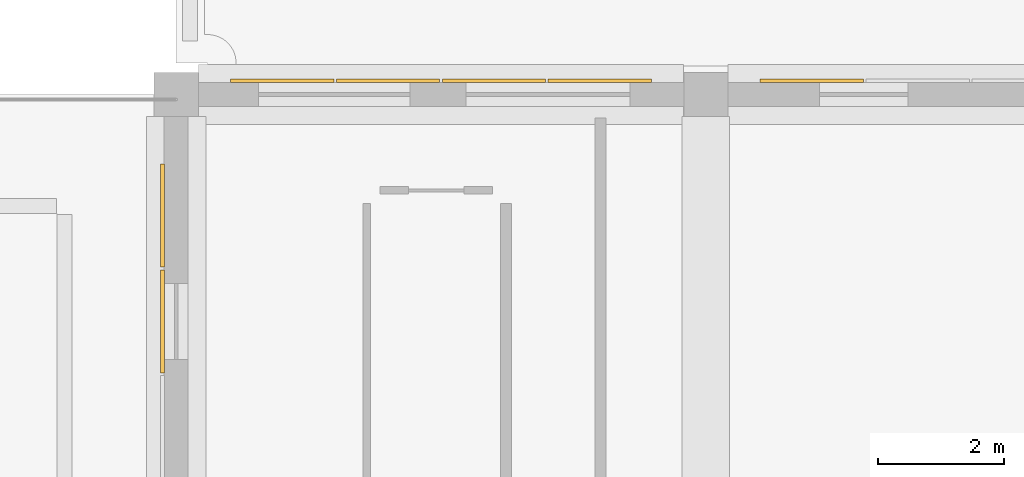
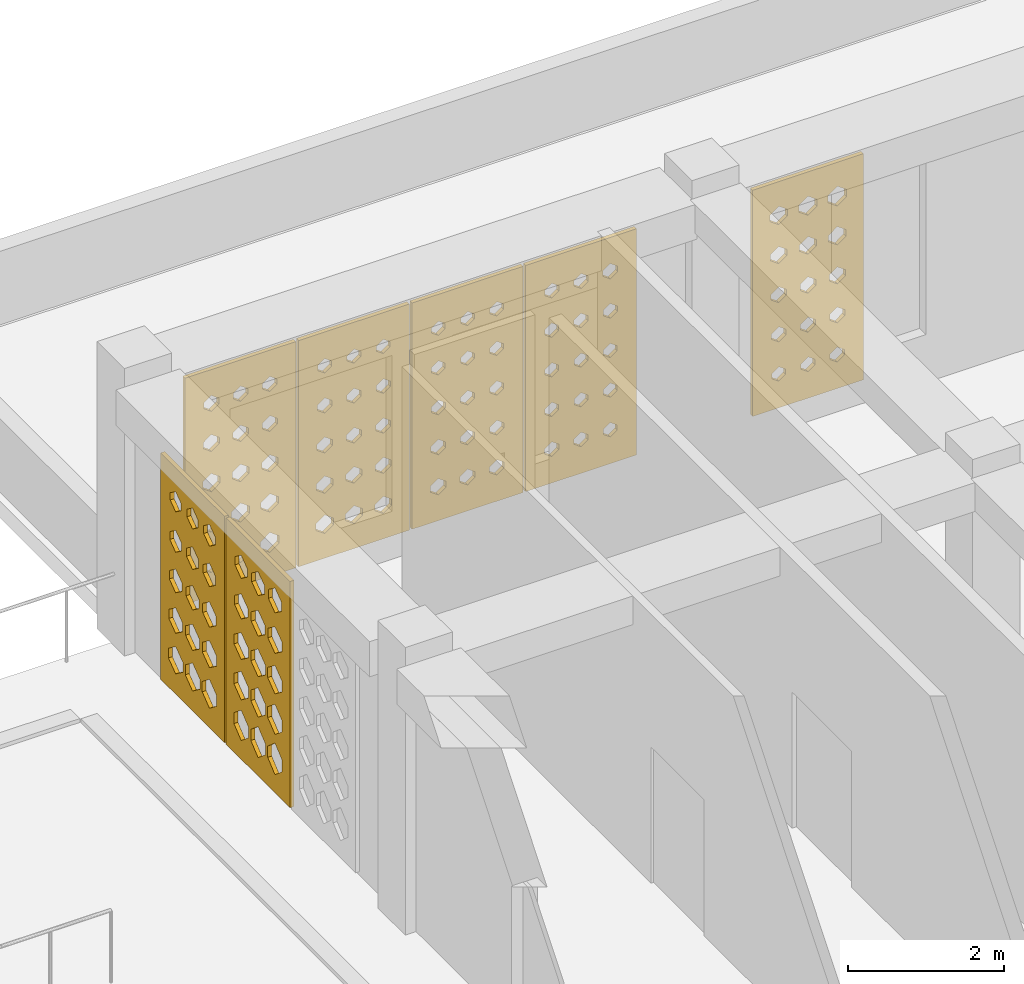
# One storey, part 41 of 47: 7 coverings.
"""IFC4 building model written with IfcOpenShell, lengths in metres."""

from ifc_helpers import new_model, si_unit, derived_unit, direction, frame, origin, place, context, subcontext, project, spatial, polyline, outline, extrude, material, layer, layer_set, type_object, element, save


model = new_model("IFC4")

# Units and contexts
model_context = context("Model", 3, precision=1e-05, world=origin(), true_north=direction((0.0, 1.0)))
body_context = subcontext(model_context, "Body", "Model", "MODEL_VIEW")
ifc_project = project(units=[si_unit("LENGTHUNIT", "METRE"), si_unit("AREAUNIT", "SQUARE_METRE"), si_unit("VOLUMEUNIT", "CUBIC_METRE"), si_unit("PLANEANGLEUNIT", "RADIAN"), si_unit("MASSUNIT", "GRAM", prefix="KILO"), derived_unit("THERMALTRANSMITTANCEUNIT", [(si_unit("POWERUNIT", "WATT"), 1), (si_unit("LENGTHUNIT", "METRE"), -2), (si_unit("THERMODYNAMICTEMPERATUREUNIT", "KELVIN"), -1)])], contexts=[model_context])

# Site, building, storey
site_placement = place(None, origin())
site = spatial("IfcSite", under=ifc_project, at=site_placement, CompositionType="ELEMENT")
building_placement = place(site_placement, origin())
building = spatial("IfcBuilding", under=site, at=building_placement, Name="Veybourne Emporium", CompositionType="ELEMENT")
storey_placement = place(building_placement, frame((0.0, 0.0, 23.39990234375)))
storey = spatial("IfcBuildingStorey", under=building, at=storey_placement, Name="L05", CompositionType="ELEMENT", Elevation=23.39990234375)

# Coverings
ifc_material = material(Name="Warm-White Perforated Aluminium Screen Alloy", Category="aluminium")
ifc_layer_1 = layer(ifc_material, 0.06005859375)
ifc_layer_set_1 = layer_set([ifc_layer_1], Name="Warm-White Perforated Aluminium Screen Alloy")
covering_type_1 = type_object("IfcCoveringType", Name="WaveScreen_SCR-01", PredefinedType="CLADDING", material=ifc_layer_set_1)
covering_1_placement = place(storey_placement, frame((38.639892578125, 86.64794921875, 1.830078125), z_axis=(0.0, -1.0, 0.0), x_axis=(1.0, 0.0, 0.0)))
element("IfcCovering", 1, at=covering_1_placement, inside=storey, type_object=covering_type_1, Name="L05 wave-perforated aluminium screen SCR-01 (24.3)", PredefinedType="CLADDING", context=body_context, shape_type="SweptSolid", body=[
    extrude(outline(polyline([(-0.81982421875, -1.77001953125), (0.81982421875, -1.77001953125), (0.81982421875, 1.77001953125), (-0.81982421875, 1.77001953125), (-0.81982421875, -1.77001953125)]), holes=[polyline([(-0.433349609375, -1.11279296875), (-0.319091796875, -1.194091796875), (-0.319091796875, -1.285888671875), (-0.433349609375, -1.3671875), (-0.547607421875, -1.285888671875), (-0.547607421875, -1.194091796875), (-0.433349609375, -1.11279296875)]), polyline([(-0.433349609375, -0.50048828125), (-0.325439453125, -0.576904296875), (-0.325439453125, -0.6630859375), (-0.433349609375, -0.739501953125), (-0.541015625, -0.6630859375), (-0.541015625, -0.576904296875), (-0.433349609375, -0.50048828125)]), polyline([(-0.433349609375, 0.114013671875), (-0.330078125, 0.041015625), (-0.330078125, -0.041015625), (-0.433349609375, -0.114013671875), (-0.53662109375, -0.041015625), (-0.53662109375, 0.041015625), (-0.433349609375, 0.114013671875)]), polyline([(-0.433349609375, 0.730712890625), (-0.332763671875, 0.659912109375), (-0.332763671875, 0.580078125), (-0.433349609375, 0.50927734375), (-0.533935546875, 0.580078125), (-0.533935546875, 0.659912109375), (-0.433349609375, 0.730712890625)]), polyline([(-0.433349609375, 1.35009765625), (-0.333251953125, 1.279541015625), (-0.333251953125, 1.200439453125), (-0.433349609375, 1.1298828125), (-0.533447265625, 1.200439453125), (-0.533447265625, 1.279541015625), (-0.433349609375, 1.35009765625)]), polyline([(0.0, -1.116455078125), (0.111083984375, -1.195556640625), (0.111083984375, -1.284423828125), (0.0, -1.363525390625), (-0.111083984375, -1.284423828125), (-0.111083984375, -1.195556640625), (0.0, -1.116455078125)]), polyline([(0.0, -0.503173828125), (0.10546875, -0.577880859375), (0.10546875, -0.662109375), (0.0, -0.73681640625), (-0.10546875, -0.662109375), (-0.10546875, -0.577880859375), (0.0, -0.503173828125)]), polyline([(0.0, 0.1123046875), (0.101806640625, 0.040283203125), (0.101806640625, -0.040283203125), (0.0, -0.1123046875), (-0.101806640625, -0.040283203125), (-0.101806640625, 0.040283203125), (0.0, 0.1123046875)]), polyline([(0.0, 0.730224609375), (0.10009765625, 0.65966796875), (0.10009765625, 0.580322265625), (0.0, 0.509765625), (-0.10009765625, 0.580322265625), (-0.10009765625, 0.65966796875), (0.0, 0.730224609375)]), polyline([(0.0, 1.3505859375), (0.100341796875, 1.27978515625), (0.100341796875, 1.2001953125), (0.0, 1.12939453125), (-0.100341796875, 1.2001953125), (-0.100341796875, 1.27978515625), (0.0, 1.3505859375)]), polyline([(0.433349609375, -1.119873046875), (0.541748046875, -1.19677734375), (0.541748046875, -1.283203125), (0.433349609375, -1.360107421875), (0.324951171875, -1.283203125), (0.324951171875, -1.19677734375), (0.433349609375, -1.119873046875)]), polyline([(0.433349609375, -0.505615234375), (0.537109375, -0.578857421875), (0.537109375, -0.6611328125), (0.433349609375, -0.734375), (0.32958984375, -0.6611328125), (0.32958984375, -0.578857421875), (0.433349609375, -0.505615234375)]), polyline([(0.433349609375, 0.111083984375), (0.5341796875, 0.0400390625), (0.5341796875, -0.0400390625), (0.433349609375, -0.111083984375), (0.33251953125, -0.0400390625), (0.33251953125, 0.0400390625), (0.433349609375, 0.111083984375)]), polyline([(0.433349609375, 0.72998046875), (0.533203125, 0.65966796875), (0.533203125, 0.580322265625), (0.433349609375, 0.510009765625), (0.333251953125, 0.580322265625), (0.333251953125, 0.65966796875), (0.433349609375, 0.72998046875)]), polyline([(0.433349609375, 1.3515625), (0.53466796875, 1.280029296875), (0.53466796875, 1.199951171875), (0.433349609375, 1.12841796875), (0.33203125, 1.199951171875), (0.33203125, 1.280029296875), (0.433349609375, 1.3515625)])]), origin(), (0.0, 0.0, 1.0), 0.06005859375),
])
covering_2_placement = place(storey_placement, frame((33.35205078125, 82.800048828125, 1.830078125), z_axis=(1.0, 0.0, 0.0), x_axis=(0.0, 1.0, 0.0)))
element("IfcCovering", 2, at=covering_2_placement, inside=storey, type_object=covering_type_1, Name="L05 wave-perforated aluminium screen SCR-01 (25T.2)", PredefinedType="CLADDING", context=body_context, shape_type="SweptSolid", body=[
    extrude(outline(polyline([(-0.81982421875, -1.77001953125), (0.81982421875, -1.77001953125), (0.81982421875, 1.77001953125), (-0.81982421875, 1.77001953125), (-0.81982421875, -1.77001953125)]), holes=[polyline([(-0.433349609375, -0.992919921875), (-0.2470703125, -1.151123046875), (-0.2470703125, -1.328857421875), (-0.433349609375, -1.487060546875), (-0.61962890625, -1.328857421875), (-0.61962890625, -1.151123046875), (-0.433349609375, -0.992919921875)]), polyline([(-0.433349609375, -0.384521484375), (-0.2470703125, -0.53515625), (-0.2470703125, -0.704833984375), (-0.433349609375, -0.85546875), (-0.61962890625, -0.704833984375), (-0.61962890625, -0.53515625), (-0.433349609375, -0.384521484375)]), polyline([(-0.433349609375, 0.22265625), (-0.2470703125, 0.080078125), (-0.2470703125, -0.080078125), (-0.433349609375, -0.22265625), (-0.61962890625, -0.080078125), (-0.61962890625, 0.080078125), (-0.433349609375, 0.22265625)]), polyline([(-0.433349609375, 0.8291015625), (-0.252197265625, 0.6953125), (-0.252197265625, 0.544921875), (-0.433349609375, 0.410888671875), (-0.6142578125, 0.544921875), (-0.6142578125, 0.6953125), (-0.433349609375, 0.8291015625)]), polyline([(-0.433349609375, 1.434814453125), (-0.263916015625, 1.31005859375), (-0.263916015625, 1.169921875), (-0.433349609375, 1.045166015625), (-0.602783203125, 1.169921875), (-0.602783203125, 1.31005859375), (-0.433349609375, 1.434814453125)]), polyline([(0.0, -0.997802734375), (0.186279296875, -1.15283203125), (0.186279296875, -1.3271484375), (0.0, -1.482177734375), (-0.186279296875, -1.3271484375), (-0.186279296875, -1.15283203125), (0.0, -0.997802734375)]), polyline([(0.0, -0.39013671875), (0.186279296875, -0.537109375), (0.186279296875, -0.702880859375), (0.0, -0.849853515625), (-0.186279296875, -0.702880859375), (-0.186279296875, -0.537109375), (0.0, -0.39013671875)]), polyline([(0.0, 0.216796875), (0.186279296875, 0.077880859375), (0.186279296875, -0.077880859375), (0.0, -0.216796875), (-0.186279296875, -0.077880859375), (-0.186279296875, 0.077880859375), (0.0, 0.216796875)]), polyline([(0.0, 0.82275390625), (0.17578125, 0.693115234375), (0.17578125, 0.547119140625), (0.0, 0.417236328125), (-0.17578125, 0.547119140625), (-0.17578125, 0.693115234375), (0.0, 0.82275390625)]), polyline([(0.0, 1.428466796875), (0.1640625, 1.307861328125), (0.1640625, 1.172119140625), (0.0, 1.051513671875), (-0.1640625, 1.172119140625), (-0.1640625, 1.307861328125), (0.0, 1.428466796875)]), polyline([(0.433349609375, -1.003173828125), (0.61962890625, -1.15478515625), (0.61962890625, -1.3251953125), (0.433349609375, -1.476806640625), (0.2470703125, -1.3251953125), (0.2470703125, -1.15478515625), (0.433349609375, -1.003173828125)]), polyline([(0.433349609375, -0.39599609375), (0.61962890625, -0.539306640625), (0.61962890625, -0.70068359375), (0.433349609375, -0.843994140625), (0.2470703125, -0.70068359375), (0.2470703125, -0.539306640625), (0.433349609375, -0.39599609375)]), polyline([(0.433349609375, 0.21044921875), (0.615478515625, 0.07568359375), (0.615478515625, -0.07568359375), (0.433349609375, -0.21044921875), (0.251220703125, -0.07568359375), (0.251220703125, 0.07568359375), (0.433349609375, 0.21044921875)]), polyline([(0.433349609375, 0.81640625), (0.60400390625, 0.690673828125), (0.60400390625, 0.54931640625), (0.433349609375, 0.423583984375), (0.2626953125, 0.54931640625), (0.2626953125, 0.690673828125), (0.433349609375, 0.81640625)]), polyline([(0.433349609375, 1.422119140625), (0.59228515625, 1.305419921875), (0.59228515625, 1.174560546875), (0.433349609375, 1.05810546875), (0.2744140625, 1.174560546875), (0.2744140625, 1.305419921875), (0.433349609375, 1.422119140625)])]), origin(), (0.0, 0.0, 1.0), 0.06005859375),
])
covering_3_placement = place(storey_placement, frame((43.679931640625, 86.64794921875, 1.830078125), z_axis=(0.0, -1.0, 0.0), x_axis=(1.0, 0.0, 0.0)))
element("IfcCovering", 3, at=covering_3_placement, inside=storey, type_object=covering_type_1, Name="L05 wave-perforated aluminium screen SCR-01 (34.1)", PredefinedType="CLADDING", context=body_context, shape_type="SweptSolid", body=[
    extrude(outline(polyline([(-0.81982421875, -1.77001953125), (0.81982421875, -1.77001953125), (0.81982421875, 1.77001953125), (-0.81982421875, 1.77001953125), (-0.81982421875, -1.77001953125)]), holes=[polyline([(-0.433349609375, -1.12744140625), (-0.331298828125, -1.199462890625), (-0.331298828125, -1.280517578125), (-0.433349609375, -1.3525390625), (-0.535400390625, -1.280517578125), (-0.535400390625, -1.199462890625), (-0.433349609375, -1.12744140625)]), polyline([(-0.433349609375, -0.502685546875), (-0.327392578125, -0.577880859375), (-0.327392578125, -0.662109375), (-0.433349609375, -0.7373046875), (-0.539306640625, -0.662109375), (-0.539306640625, -0.577880859375), (-0.433349609375, -0.502685546875)]), polyline([(-0.433349609375, 0.124267578125), (-0.32177734375, 0.044677734375), (-0.32177734375, -0.044677734375), (-0.433349609375, -0.124267578125), (-0.544921875, -0.044677734375), (-0.544921875, 0.044677734375), (-0.433349609375, 0.124267578125)]), polyline([(-0.433349609375, 0.753173828125), (-0.314453125, 0.66796875), (-0.314453125, 0.572021484375), (-0.433349609375, 0.48681640625), (-0.55224609375, 0.572021484375), (-0.55224609375, 0.66796875), (-0.433349609375, 0.753173828125)]), polyline([(-0.433349609375, 1.384033203125), (-0.305419921875, 1.291748046875), (-0.305419921875, 1.188232421875), (-0.433349609375, 1.095947265625), (-0.56103515625, 1.188232421875), (-0.56103515625, 1.291748046875), (-0.433349609375, 1.384033203125)]), polyline([(0.0, -1.125732421875), (0.103515625, -1.19873046875), (0.103515625, -1.28125), (0.0, -1.354248046875), (-0.103515625, -1.28125), (-0.103515625, -1.19873046875), (0.0, -1.125732421875)]), polyline([(0.0, -0.5), (0.108154296875, -0.576904296875), (0.108154296875, -0.6630859375), (0.0, -0.739990234375), (-0.108154296875, -0.6630859375), (-0.108154296875, -0.576904296875), (0.0, -0.5)]), polyline([(0.0, 0.1279296875), (0.11474609375, 0.046142578125), (0.11474609375, -0.046142578125), (0.0, -0.1279296875), (-0.11474609375, -0.046142578125), (-0.11474609375, 0.046142578125), (0.0, 0.1279296875)]), polyline([(0.0, 0.7578125), (0.122802734375, 0.669677734375), (0.122802734375, 0.5703125), (0.0, 0.482177734375), (-0.122802734375, 0.5703125), (-0.122802734375, 0.669677734375), (0.0, 0.7578125)]), polyline([(0.0, 1.389404296875), (0.132080078125, 1.293701171875), (0.132080078125, 1.186279296875), (0.0, 1.0908203125), (-0.132080078125, 1.186279296875), (-0.132080078125, 1.293701171875), (0.0, 1.389404296875)]), polyline([(0.433349609375, -1.123291015625), (0.538818359375, -1.197998046875), (0.538818359375, -1.281982421875), (0.433349609375, -1.356689453125), (0.327880859375, -1.281982421875), (0.327880859375, -1.197998046875), (0.433349609375, -1.123291015625)]), polyline([(0.433349609375, -0.49658203125), (0.544189453125, -0.57568359375), (0.544189453125, -0.664306640625), (0.433349609375, -0.743408203125), (0.322509765625, -0.664306640625), (0.322509765625, -0.57568359375), (0.433349609375, -0.49658203125)]), polyline([(0.433349609375, 0.132080078125), (0.551513671875, 0.047607421875), (0.551513671875, -0.047607421875), (0.433349609375, -0.132080078125), (0.315185546875, -0.047607421875), (0.315185546875, 0.047607421875), (0.433349609375, 0.132080078125)]), polyline([(0.433349609375, 0.7626953125), (0.560302734375, 0.67138671875), (0.560302734375, 0.568603515625), (0.433349609375, 0.477294921875), (0.306396484375, 0.568603515625), (0.306396484375, 0.67138671875), (0.433349609375, 0.7626953125)]), polyline([(0.433349609375, 1.39501953125), (0.570068359375, 1.2958984375), (0.570068359375, 1.18408203125), (0.433349609375, 1.085205078125), (0.296630859375, 1.18408203125), (0.296630859375, 1.2958984375), (0.433349609375, 1.39501953125)])]), origin(), (0.0, 0.0, 1.0), 0.06005859375),
])
ifc_layer_2 = layer(ifc_material, 0.06005859375)
ifc_layer_set_2 = layer_set([ifc_layer_2], Name="Warm-White Perforated Aluminium Screen Alloy")
covering_type_2 = type_object("IfcCoveringType", Name="WaveScreen_SCR-02", PredefinedType="CLADDING", material=ifc_layer_set_2)
covering_4_placement = place(storey_placement, frame((40.320068359375, 86.64794921875, 1.830078125), z_axis=(0.0, -1.0, 0.0), x_axis=(1.0, 0.0, 0.0)))
element("IfcCovering", 4, at=covering_4_placement, inside=storey, type_object=covering_type_2, Name="L05 wave-perforated aluminium screen SCR-02 (24.4)", PredefinedType="CLADDING", context=body_context, shape_type="SweptSolid", body=[
    extrude(outline(polyline([(-0.81982421875, -1.77001953125), (0.81982421875, -1.77001953125), (0.81982421875, 1.77001953125), (-0.81982421875, 1.77001953125), (-0.81982421875, -1.77001953125)]), holes=[polyline([(-0.433349609375, -1.124755859375), (-0.3291015625, -1.198486328125), (-0.3291015625, -1.281494140625), (-0.433349609375, -1.355224609375), (-0.53759765625, -1.281494140625), (-0.53759765625, -1.198486328125), (-0.433349609375, -1.124755859375)]), polyline([(-0.433349609375, -0.508544921875), (-0.332275390625, -0.579833984375), (-0.332275390625, -0.66015625), (-0.433349609375, -0.7314453125), (-0.534423828125, -0.66015625), (-0.534423828125, -0.579833984375), (-0.433349609375, -0.508544921875)]), polyline([(-0.433349609375, 0.110107421875), (-0.333251953125, 0.03955078125), (-0.333251953125, -0.03955078125), (-0.433349609375, -0.110107421875), (-0.533203125, -0.03955078125), (-0.533203125, 0.03955078125), (-0.433349609375, 0.110107421875)]), polyline([(-0.433349609375, 0.731201171875), (-0.33251953125, 0.659912109375), (-0.33251953125, 0.580078125), (-0.433349609375, 0.5087890625), (-0.5341796875, 0.580078125), (-0.5341796875, 0.659912109375), (-0.433349609375, 0.731201171875)]), polyline([(-0.433349609375, 1.3544921875), (-0.32958984375, 1.28125), (-0.32958984375, 1.19873046875), (-0.433349609375, 1.12548828125), (-0.537109375, 1.19873046875), (-0.537109375, 1.28125), (-0.433349609375, 1.3544921875)]), polyline([(0.0, -1.126708984375), (0.1025390625, -1.19921875), (0.1025390625, -1.28076171875), (0.0, -1.353271484375), (-0.1025390625, -1.28076171875), (-0.1025390625, -1.19921875), (0.0, -1.126708984375)]), polyline([(0.0, -0.509521484375), (0.100341796875, -0.580078125), (0.100341796875, -0.659912109375), (0.0, -0.73046875), (-0.100341796875, -0.659912109375), (-0.100341796875, -0.580078125), (0.0, -0.509521484375)]), polyline([(0.0, 0.110107421875), (0.10009765625, 0.039794921875), (0.10009765625, -0.039794921875), (0.0, -0.110107421875), (-0.10009765625, -0.039794921875), (-0.10009765625, 0.039794921875), (0.0, 0.110107421875)]), polyline([(0.0, 0.732421875), (0.10205078125, 0.660400390625), (0.10205078125, 0.57958984375), (0.0, 0.507568359375), (-0.10205078125, 0.57958984375), (-0.10205078125, 0.660400390625), (0.0, 0.732421875)]), polyline([(0.0, 1.35693359375), (0.105712890625, 1.281982421875), (0.105712890625, 1.197998046875), (0.0, 1.123046875), (-0.105712890625, 1.197998046875), (-0.105712890625, 1.281982421875), (0.0, 1.35693359375)]), polyline([(0.433349609375, -1.12841796875), (0.53466796875, -1.19970703125), (0.53466796875, -1.2802734375), (0.433349609375, -1.351806640625), (0.33203125, -1.2802734375), (0.33203125, -1.19970703125), (0.433349609375, -1.12841796875)]), polyline([(0.433349609375, -0.510009765625), (0.533447265625, -0.580322265625), (0.533447265625, -0.65966796875), (0.433349609375, -0.72998046875), (0.333251953125, -0.65966796875), (0.333251953125, -0.580322265625), (0.433349609375, -0.510009765625)]), polyline([(0.433349609375, 0.11083984375), (0.5341796875, 0.039794921875), (0.5341796875, -0.039794921875), (0.433349609375, -0.11083984375), (0.33251953125, -0.039794921875), (0.33251953125, 0.039794921875), (0.433349609375, 0.11083984375)]), polyline([(0.433349609375, 0.734130859375), (0.536865234375, 0.6611328125), (0.536865234375, 0.578857421875), (0.433349609375, 0.505859375), (0.329833984375, 0.578857421875), (0.329833984375, 0.6611328125), (0.433349609375, 0.734130859375)]), polyline([(0.433349609375, 1.35986328125), (0.54150390625, 1.283203125), (0.54150390625, 1.197021484375), (0.433349609375, 1.1201171875), (0.3251953125, 1.197021484375), (0.3251953125, 1.283203125), (0.433349609375, 1.35986328125)])]), origin(), (0.0, 0.0, 1.0), 0.06005859375),
])
covering_5_placement = place(storey_placement, frame((33.35205078125, 84.47998046875, 1.830078125), z_axis=(1.0, 0.0, 0.0), x_axis=(0.0, 1.0, 0.0)))
element("IfcCovering", 5, at=covering_5_placement, inside=storey, type_object=covering_type_2, Name="L05 wave-perforated aluminium screen SCR-02 (25T.3)", PredefinedType="CLADDING", context=body_context, shape_type="SweptSolid", body=[
    extrude(outline(polyline([(-0.81982421875, -1.77001953125), (0.81982421875, -1.77001953125), (0.81982421875, 1.77001953125), (-0.81982421875, 1.77001953125), (-0.81982421875, -1.77001953125)]), holes=[polyline([(-0.433349609375, -1.013916015625), (-0.2470703125, -1.15869140625), (-0.2470703125, -1.3212890625), (-0.433349609375, -1.466064453125), (-0.61962890625, -1.3212890625), (-0.61962890625, -1.15869140625), (-0.433349609375, -1.013916015625)]), polyline([(-0.433349609375, -0.407470703125), (-0.24951171875, -0.54345703125), (-0.24951171875, -0.696533203125), (-0.433349609375, -0.83251953125), (-0.6171875, -0.696533203125), (-0.6171875, -0.54345703125), (-0.433349609375, -0.407470703125)]), polyline([(-0.433349609375, 0.198486328125), (-0.260986328125, 0.071533203125), (-0.260986328125, -0.071533203125), (-0.433349609375, -0.198486328125), (-0.605712890625, -0.071533203125), (-0.605712890625, 0.071533203125), (-0.433349609375, 0.198486328125)]), polyline([(-0.433349609375, 0.80419921875), (-0.272705078125, 0.686279296875), (-0.272705078125, 0.5537109375), (-0.433349609375, 0.435791015625), (-0.593994140625, 0.5537109375), (-0.593994140625, 0.686279296875), (-0.433349609375, 0.80419921875)]), polyline([(-0.433349609375, 1.41015625), (-0.2841796875, 1.30126953125), (-0.2841796875, 1.1787109375), (-0.433349609375, 1.06982421875), (-0.58251953125, 1.1787109375), (-0.58251953125, 1.30126953125), (-0.433349609375, 1.41015625)]), polyline([(0.0, -1.019775390625), (0.186279296875, -1.16064453125), (0.186279296875, -1.3193359375), (0.0, -1.460205078125), (-0.186279296875, -1.3193359375), (-0.186279296875, -1.16064453125), (0.0, -1.019775390625)]), polyline([(0.0, -0.413818359375), (0.1787109375, -0.545654296875), (0.1787109375, -0.6943359375), (0.0, -0.826416015625), (-0.1787109375, -0.6943359375), (-0.1787109375, -0.545654296875), (0.0, -0.413818359375)]), polyline([(0.0, 0.192138671875), (0.1669921875, 0.069091796875), (0.1669921875, -0.069091796875), (0.0, -0.192138671875), (-0.1669921875, -0.069091796875), (-0.1669921875, 0.069091796875), (0.0, 0.192138671875)]), polyline([(0.0, 0.7978515625), (0.155517578125, 0.68408203125), (0.155517578125, 0.555908203125), (0.0, 0.442138671875), (-0.155517578125, 0.555908203125), (-0.155517578125, 0.68408203125), (0.0, 0.7978515625)]), polyline([(0.0, 1.404052734375), (0.144287109375, 1.299072265625), (0.144287109375, 1.180908203125), (0.0, 1.075927734375), (-0.144287109375, 1.180908203125), (-0.144287109375, 1.299072265625), (0.0, 1.404052734375)]), polyline([(0.433349609375, -1.02587890625), (0.618408203125, -1.1630859375), (0.618408203125, -1.31689453125), (0.433349609375, -1.4541015625), (0.248291015625, -1.31689453125), (0.248291015625, -1.1630859375), (0.433349609375, -1.02587890625)]), polyline([(0.433349609375, -0.420166015625), (0.60693359375, -0.548095703125), (0.60693359375, -0.69189453125), (0.433349609375, -0.81982421875), (0.259765625, -0.69189453125), (0.259765625, -0.548095703125), (0.433349609375, -0.420166015625)]), polyline([(0.433349609375, 0.185546875), (0.59521484375, 0.06689453125), (0.59521484375, -0.06689453125), (0.433349609375, -0.185546875), (0.271484375, -0.06689453125), (0.271484375, 0.06689453125), (0.433349609375, 0.185546875)]), polyline([(0.433349609375, 0.79150390625), (0.583740234375, 0.681884765625), (0.583740234375, 0.55810546875), (0.433349609375, 0.448486328125), (0.282958984375, 0.55810546875), (0.282958984375, 0.681884765625), (0.433349609375, 0.79150390625)]), polyline([(0.433349609375, 1.398193359375), (0.57275390625, 1.296875), (0.57275390625, 1.18310546875), (0.433349609375, 1.081787109375), (0.2939453125, 1.18310546875), (0.2939453125, 1.296875), (0.433349609375, 1.398193359375)])]), origin(), (0.0, 0.0, 1.0), 0.06005859375),
])
ifc_layer_3 = layer(ifc_material, 0.06005859375)
ifc_layer_set_3 = layer_set([ifc_layer_3], Name="Warm-White Perforated Aluminium Screen Alloy")
covering_type_3 = type_object("IfcCoveringType", Name="WaveScreen_SCR-03", PredefinedType="CLADDING", material=ifc_layer_set_3)
covering_6_placement = place(storey_placement, frame((35.280029296875, 86.64794921875, 1.830078125), z_axis=(0.0, -1.0, 0.0), x_axis=(1.0, 0.0, 0.0)))
element("IfcCovering", 6, at=covering_6_placement, inside=storey, type_object=covering_type_3, Name="L05 wave-perforated aluminium screen SCR-03 (24.1)", PredefinedType="CLADDING", context=body_context, shape_type="SweptSolid", body=[
    extrude(outline(polyline([(-0.81982421875, -1.77001953125), (0.81982421875, -1.77001953125), (0.81982421875, 1.77001953125), (-0.81982421875, 1.77001953125), (-0.81982421875, -1.77001953125)]), holes=[polyline([(-0.433349609375, -1.072509765625), (-0.2861328125, -1.1796875), (-0.2861328125, -1.30029296875), (-0.433349609375, -1.40771484375), (-0.58056640625, -1.30029296875), (-0.58056640625, -1.1796875), (-0.433349609375, -1.072509765625)]), polyline([(-0.433349609375, -0.465576171875), (-0.297119140625, -0.564453125), (-0.297119140625, -0.675537109375), (-0.433349609375, -0.7744140625), (-0.569580078125, -0.675537109375), (-0.569580078125, -0.564453125), (-0.433349609375, -0.465576171875)]), polyline([(-0.433349609375, 0.142333984375), (-0.306884765625, 0.05126953125), (-0.306884765625, -0.05126953125), (-0.433349609375, -0.142333984375), (-0.559814453125, -0.05126953125), (-0.559814453125, 0.05126953125), (-0.433349609375, 0.142333984375)]), polyline([(-0.433349609375, 0.751708984375), (-0.3154296875, 0.66748046875), (-0.3154296875, 0.572509765625), (-0.433349609375, 0.48828125), (-0.551025390625, 0.572509765625), (-0.551025390625, 0.66748046875), (-0.433349609375, 0.751708984375)]), polyline([(-0.433349609375, 1.363037109375), (-0.32275390625, 1.2841796875), (-0.32275390625, 1.19580078125), (-0.433349609375, 1.116943359375), (-0.5439453125, 1.19580078125), (-0.5439453125, 1.2841796875), (-0.433349609375, 1.363037109375)]), polyline([(0.0, -1.078369140625), (0.14208984375, -1.181884765625), (0.14208984375, -1.298095703125), (0.0, -1.401611328125), (-0.14208984375, -1.298095703125), (-0.14208984375, -1.181884765625), (0.0, -1.078369140625)]), polyline([(0.0, -0.47119140625), (0.1318359375, -0.56640625), (0.1318359375, -0.673583984375), (0.0, -0.768798828125), (-0.1318359375, -0.673583984375), (-0.1318359375, -0.56640625), (0.0, -0.47119140625)]), polyline([(0.0, 0.137451171875), (0.122314453125, 0.049560546875), (0.122314453125, -0.049560546875), (0.0, -0.137451171875), (-0.122314453125, -0.049560546875), (-0.122314453125, 0.049560546875), (0.0, 0.137451171875)]), polyline([(0.0, 0.74755859375), (0.114501953125, 0.666015625), (0.114501953125, 0.57421875), (0.0, 0.492431640625), (-0.114501953125, 0.57421875), (-0.114501953125, 0.666015625), (0.0, 0.74755859375)]), polyline([(0.0, 1.35986328125), (0.10791015625, 1.283203125), (0.10791015625, 1.197021484375), (0.0, 1.1201171875), (-0.10791015625, 1.197021484375), (-0.10791015625, 1.283203125), (0.0, 1.35986328125)]), polyline([(0.433349609375, -1.084228515625), (0.57080078125, -1.18408203125), (0.57080078125, -1.2958984375), (0.433349609375, -1.395751953125), (0.2958984375, -1.2958984375), (0.2958984375, -1.18408203125), (0.433349609375, -1.084228515625)]), polyline([(0.433349609375, -0.4765625), (0.560791015625, -0.568359375), (0.560791015625, -0.671630859375), (0.433349609375, -0.763427734375), (0.305908203125, -0.671630859375), (0.305908203125, -0.568359375), (0.433349609375, -0.4765625)]), polyline([(0.433349609375, 0.1328125), (0.552001953125, 0.0478515625), (0.552001953125, -0.0478515625), (0.433349609375, -0.1328125), (0.314697265625, -0.0478515625), (0.314697265625, 0.0478515625), (0.433349609375, 0.1328125)]), polyline([(0.433349609375, 0.743896484375), (0.544677734375, 0.66455078125), (0.544677734375, 0.575439453125), (0.433349609375, 0.49609375), (0.322021484375, 0.575439453125), (0.322021484375, 0.66455078125), (0.433349609375, 0.743896484375)]), polyline([(0.433349609375, 1.35693359375), (0.5390625, 1.281982421875), (0.5390625, 1.197998046875), (0.433349609375, 1.123046875), (0.32763671875, 1.197998046875), (0.32763671875, 1.281982421875), (0.433349609375, 1.35693359375)])]), origin(), (0.0, 0.0, 1.0), 0.06005859375),
])
ifc_layer_4 = layer(ifc_material, 0.06005859375)
ifc_layer_set_4 = layer_set([ifc_layer_4], Name="Warm-White Perforated Aluminium Screen Alloy")
covering_type_4 = type_object("IfcCoveringType", Name="WaveScreen_SCR-04", PredefinedType="CLADDING", material=ifc_layer_set_4)
covering_7_placement = place(storey_placement, frame((36.9599609375, 86.64794921875, 1.830078125), z_axis=(0.0, -1.0, 0.0), x_axis=(1.0, 0.0, 0.0)))
element("IfcCovering", 7, at=covering_7_placement, inside=storey, type_object=covering_type_4, Name="L05 wave-perforated aluminium screen SCR-04 (24.2)", PredefinedType="CLADDING", context=body_context, shape_type="SweptSolid", body=[
    extrude(outline(polyline([(-0.81982421875, -1.77001953125), (0.81982421875, -1.77001953125), (0.81982421875, 1.77001953125), (-0.81982421875, 1.77001953125), (-0.81982421875, -1.77001953125)]), holes=[polyline([(-0.433349609375, -1.0947265625), (-0.304443359375, -1.187744140625), (-0.304443359375, -1.292236328125), (-0.433349609375, -1.38525390625), (-0.562255859375, -1.292236328125), (-0.562255859375, -1.187744140625), (-0.433349609375, -1.0947265625)]), polyline([(-0.433349609375, -0.485595703125), (-0.3134765625, -0.571533203125), (-0.3134765625, -0.66845703125), (-0.433349609375, -0.75439453125), (-0.55322265625, -0.66845703125), (-0.55322265625, -0.571533203125), (-0.433349609375, -0.485595703125)]), polyline([(-0.433349609375, 0.125), (-0.321044921875, 0.044921875), (-0.321044921875, -0.044921875), (-0.433349609375, -0.125), (-0.545654296875, -0.044921875), (-0.545654296875, 0.044921875), (-0.433349609375, 0.125)]), polyline([(-0.433349609375, 0.73779296875), (-0.326904296875, 0.662353515625), (-0.326904296875, 0.57763671875), (-0.433349609375, 0.502197265625), (-0.539794921875, 0.57763671875), (-0.539794921875, 0.662353515625), (-0.433349609375, 0.73779296875)]), polyline([(-0.433349609375, 1.352783203125), (-0.330810546875, 1.28076171875), (-0.330810546875, 1.19921875), (-0.433349609375, 1.127197265625), (-0.53564453125, 1.19921875), (-0.53564453125, 1.28076171875), (-0.433349609375, 1.352783203125)]), polyline([(0.0, -1.099853515625), (0.124755859375, -1.189453125), (0.124755859375, -1.29052734375), (0.0, -1.380126953125), (-0.124755859375, -1.29052734375), (-0.124755859375, -1.189453125), (0.0, -1.099853515625)]), polyline([(0.0, -0.489990234375), (0.1162109375, -0.5732421875), (0.1162109375, -0.666748046875), (0.0, -0.75), (-0.1162109375, -0.666748046875), (-0.1162109375, -0.5732421875), (0.0, -0.489990234375)]), polyline([(0.0, 0.12158203125), (0.109619140625, 0.043701171875), (0.109619140625, -0.043701171875), (0.0, -0.12158203125), (-0.109619140625, -0.043701171875), (-0.109619140625, 0.043701171875), (0.0, 0.12158203125)]), polyline([(0.0, 0.7353515625), (0.1044921875, 0.66162109375), (0.1044921875, 0.57861328125), (0.0, 0.504638671875), (-0.1044921875, 0.57861328125), (-0.1044921875, 0.66162109375), (0.0, 0.7353515625)]), polyline([(0.0, 1.3515625), (0.101318359375, 1.280029296875), (0.101318359375, 1.199951171875), (0.0, 1.12841796875), (-0.101318359375, 1.199951171875), (-0.101318359375, 1.280029296875), (0.0, 1.3515625)]), polyline([(0.433349609375, -1.1044921875), (0.55419921875, -1.19140625), (0.55419921875, -1.288818359375), (0.433349609375, -1.37548828125), (0.3125, -1.288818359375), (0.3125, -1.19140625), (0.433349609375, -1.1044921875)]), polyline([(0.433349609375, -0.494140625), (0.54638671875, -0.57470703125), (0.54638671875, -0.665283203125), (0.433349609375, -0.745849609375), (0.3203125, -0.665283203125), (0.3203125, -0.57470703125), (0.433349609375, -0.494140625)]), polyline([(0.433349609375, 0.118408203125), (0.540283203125, 0.042724609375), (0.540283203125, -0.042724609375), (0.433349609375, -0.118408203125), (0.326416015625, -0.042724609375), (0.326416015625, 0.042724609375), (0.433349609375, 0.118408203125)]), polyline([(0.433349609375, 0.7333984375), (0.5361328125, 0.660888671875), (0.5361328125, 0.5791015625), (0.433349609375, 0.506591796875), (0.33056640625, 0.5791015625), (0.33056640625, 0.660888671875), (0.433349609375, 0.7333984375)]), polyline([(0.433349609375, 1.3505859375), (0.53369140625, 1.27978515625), (0.53369140625, 1.2001953125), (0.433349609375, 1.12939453125), (0.3330078125, 1.2001953125), (0.3330078125, 1.27978515625), (0.433349609375, 1.3505859375)])]), origin(), (0.0, 0.0, 1.0), 0.06005859375),
])

save(model, "model.ifc")
